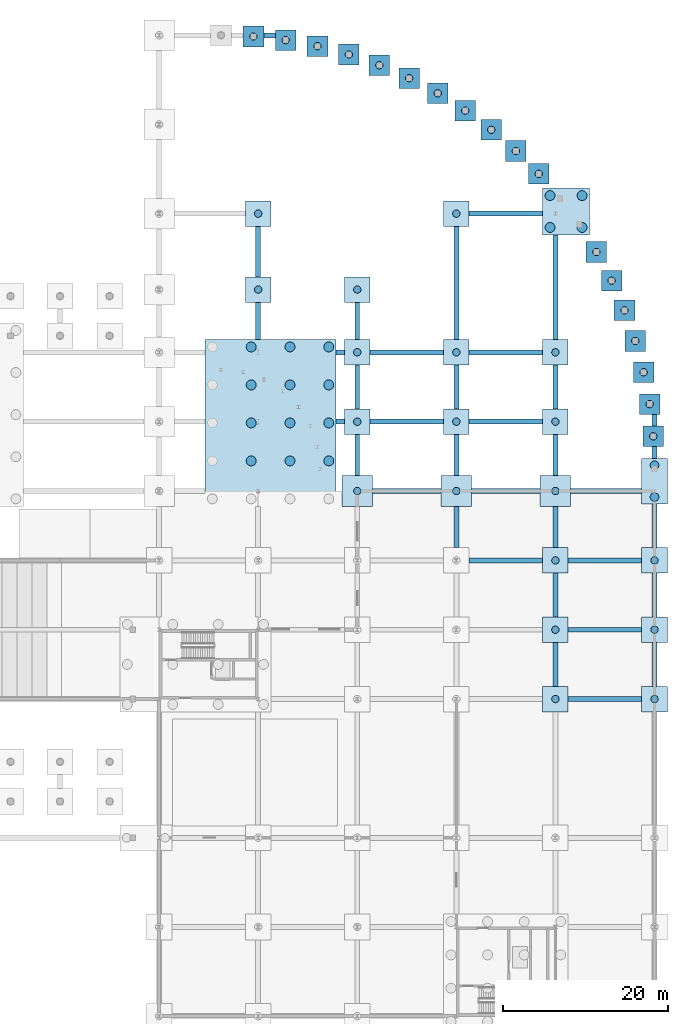
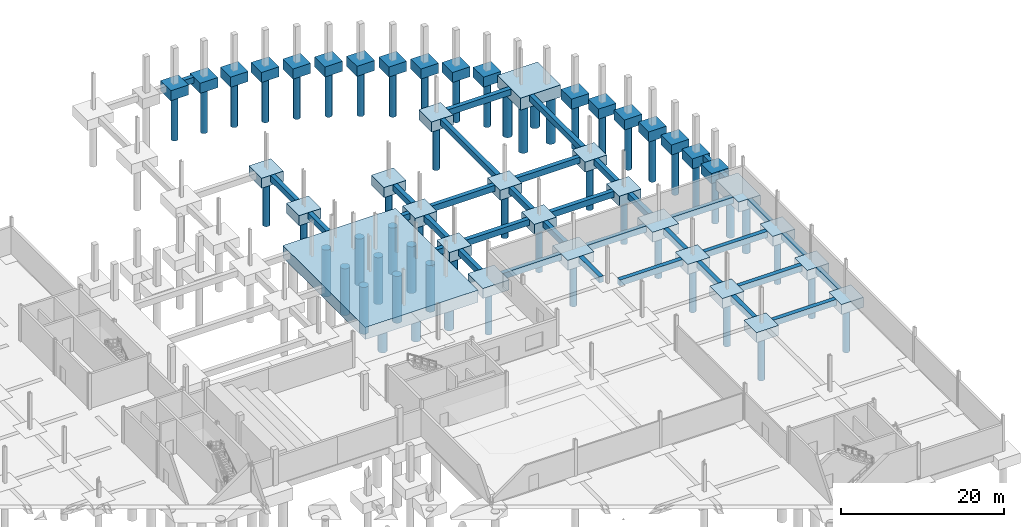
# One storey, part 6 of 36: 75 footings, 55 piles.
"""IFC4 building model written with IfcOpenShell, lengths in metres."""

from ifc_helpers import new_model, si_unit, direction, frame, origin, origin_2d, place, context, subcontext, project, spatial, rectangle, circle, extrude, material, material_profile, profile_set, type_object, element, save


model = new_model("IFC4")

# Units and contexts
model_context = context("Model", 3, precision=1e-05, world=origin(), true_north=direction((0.0, 1.0)))
body_context = subcontext(model_context, "Body", "Model", "MODEL_VIEW")
ifc_project = project(units=[si_unit("LENGTHUNIT", "METRE"), si_unit("AREAUNIT", "SQUARE_METRE"), si_unit("VOLUMEUNIT", "CUBIC_METRE"), si_unit("PLANEANGLEUNIT", "RADIAN"), si_unit("MASSUNIT", "GRAM", prefix="KILO"), si_unit("THERMODYNAMICTEMPERATUREUNIT", "KELVIN"), si_unit("POWERUNIT", "WATT")], contexts=[model_context])

# Site, building, storey
site_placement = place(None, origin())
site = spatial("IfcSite", under=ifc_project, at=site_placement, CompositionType="ELEMENT")
building_placement = place(site_placement, origin())
building = spatial("IfcBuilding", under=site, at=building_placement, Name="Tembeka Court Mobility Hub", CompositionType="ELEMENT")
storey_placement = place(building_placement, frame((0.0, 0.0, -5.39990234375)))
storey = spatial("IfcBuildingStorey", under=building, at=storey_placement, Name="B1", CompositionType="ELEMENT", Elevation=-5.39990234375)

# Footings
ifc_material = material(Name="Concrete C40/50", Category="concrete")
footing_type_1 = type_object("IfcFootingType", Name="FT-GB01", PredefinedType="FOOTING_BEAM", material=ifc_material)
for number, where, z_axis, x_axis, name in (
    (1, (170.39990234375, 38.39990234375, -0.900146484375), (0.0, 0.0, 1.0), (1.0, 0.0, 0.0), "Ground tie beam GB01 X-056"),
    (2, (170.39990234375, 46.800048828125, -0.900146484375), (0.0, 0.0, 1.0), (1.0, 0.0, 0.0), "Ground tie beam GB01 X-070"),
    (3, (158.39990234375, 55.199951171875, -0.900146484375), (0.0, 0.0, 1.0), (1.0, 0.0, 0.0), "Ground tie beam GB01 X-084"),
    (4, (170.39990234375, 55.199951171875, -0.900146484375), (0.0, 0.0, 1.0), (1.0, 0.0, 0.0), "Ground tie beam GB01 X-085"),
):
    element("IfcFooting", number, at=place(storey_placement, frame(where, z_axis=z_axis, x_axis=x_axis)), inside=storey, type_object=footing_type_1, Name=name, PredefinedType="FOOTING_BEAM", context=body_context, shape_type="SweptSolid", body=[
        extrude(rectangle(XDim=8.89990234375, YDim=0.60009765625, at=origin_2d()), origin(), (0.0, 0.0, 1.0), 0.89990234375),
    ])
for number, where, z_axis, x_axis, name in (
    (5, (146.39990234375, 63.60009765625, -0.900146484375), (0.0, 0.0, 1.0), (1.0, 0.0, 0.0), "Ground tie beam GB01 X-097"),
    (6, (158.39990234375, 63.60009765625, -0.900146484375), (0.0, 0.0, 1.0), (1.0, 0.0, 0.0), "Ground tie beam GB01 X-098"),
):
    element("IfcFooting", number, at=place(storey_placement, frame(where, z_axis=z_axis, x_axis=x_axis)), inside=storey, type_object=footing_type_1, Name=name, PredefinedType="FOOTING_BEAM", context=body_context, shape_type="SweptSolid", body=[
        extrude(rectangle(XDim=8.300048828125, YDim=0.60009765625, at=origin_2d()), origin(), (0.0, 0.0, 1.0), 0.89990234375),
    ])
footing_1_placement = place(storey_placement, frame((170.550048828125, 63.60009765625, -0.900146484375), z_axis=(0.0, 0.0, 1.0), x_axis=(1.0, 0.0, 0.0)))
element("IfcFooting", 7, at=footing_1_placement, inside=storey, type_object=footing_type_1, Name="Ground tie beam GB01 X-099", PredefinedType="FOOTING_BEAM", context=body_context, shape_type="SweptSolid", body=[
    extrude(rectangle(XDim=8.60009765625, YDim=0.60009765625, at=origin_2d()), origin(), (0.0, 0.0, 1.0), 0.89990234375),
])
footing_2_placement = place(storey_placement, frame((138.35009765625, 72.0, -0.900146484375), z_axis=(0.0, 0.0, 1.0), x_axis=(1.0, 0.0, 0.0)))
element("IfcFooting", 8, at=footing_2_placement, inside=storey, type_object=footing_type_1, Name="Ground tie beam GB01 X-111", PredefinedType="FOOTING_BEAM", context=body_context, shape_type="SweptSolid", body=[
    extrude(rectangle(XDim=1.0, YDim=0.60009765625, at=origin_2d()), origin(), (0.0, 0.0, 1.0), 0.89990234375),
])
for number, where, z_axis, x_axis, name in (
    (9, (146.39990234375, 72.0, -0.900146484375), (0.0, 0.0, 1.0), (1.0, 0.0, 0.0), "Ground tie beam GB01 X-112"),
    (10, (158.39990234375, 72.0, -0.900146484375), (0.0, 0.0, 1.0), (1.0, 0.0, 0.0), "Ground tie beam GB01 X-113"),
):
    element("IfcFooting", number, at=place(storey_placement, frame(where, z_axis=z_axis, x_axis=x_axis)), inside=storey, type_object=footing_type_1, Name=name, PredefinedType="FOOTING_BEAM", context=body_context, shape_type="SweptSolid", body=[
        extrude(rectangle(XDim=8.89990234375, YDim=0.60009765625, at=origin_2d()), origin(), (0.0, 0.0, 1.0), 0.89990234375),
    ])
footing_3_placement = place(storey_placement, frame((138.35009765625, 80.39990234375, -0.900146484375), z_axis=(0.0, 0.0, 1.0), x_axis=(1.0, 0.0, 0.0)))
element("IfcFooting", 11, at=footing_3_placement, inside=storey, type_object=footing_type_1, Name="Ground tie beam GB01 X-125", PredefinedType="FOOTING_BEAM", context=body_context, shape_type="SweptSolid", body=[
    extrude(rectangle(XDim=1.0, YDim=0.60009765625, at=origin_2d()), origin(), (0.0, 0.0, 1.0), 0.89990234375),
])
for number, where, z_axis, x_axis, name in (
    (12, (146.39990234375, 80.39990234375, -0.900146484375), (0.0, 0.0, 1.0), (1.0, 0.0, 0.0), "Ground tie beam GB01 X-126"),
    (13, (158.39990234375, 80.39990234375, -0.900146484375), (0.0, 0.0, 1.0), (1.0, 0.0, 0.0), "Ground tie beam GB01 X-127"),
    (14, (158.39990234375, 97.199951171875, -0.900146484375), (0.0, 0.0, 1.0), (1.0, 0.0, 0.0), "Ground tie beam GB01 X-140"),
):
    element("IfcFooting", number, at=place(storey_placement, frame(where, z_axis=z_axis, x_axis=x_axis)), inside=storey, type_object=footing_type_1, Name=name, PredefinedType="FOOTING_BEAM", context=body_context, shape_type="SweptSolid", body=[
        extrude(rectangle(XDim=8.89990234375, YDim=0.60009765625, at=origin_2d()), origin(), (0.0, 0.0, 1.0), 0.89990234375),
    ])
footing_4_placement = place(storey_placement, frame((129.77392578125, 118.800048828125, -0.900146484375), z_axis=(0.0, 0.0, 1.0), x_axis=(1.0, 0.0, 0.0)))
element("IfcFooting", 15, at=footing_4_placement, inside=storey, type_object=footing_type_1, Name="Ground tie beam GB01 X-160", PredefinedType="FOOTING_BEAM", context=body_context, shape_type="SweptSolid", body=[
    extrude(rectangle(XDim=1.402099609375, YDim=0.60009765625, at=origin_2d()), origin(), (0.0, 0.0, 1.0), 0.89990234375),
])
footing_5_placement = place(storey_placement, frame((128.39990234375, 84.199951171875, -0.900146484375), z_axis=(0.0, 0.0, 1.0), x_axis=(0.0, 1.0, 0.0)))
element("IfcFooting", 16, at=footing_5_placement, inside=storey, type_object=footing_type_1, Name="Ground tie beam GB01 Y-279", PredefinedType="FOOTING_BEAM", context=body_context, shape_type="SweptSolid", body=[
    extrude(rectangle(XDim=4.5, YDim=0.60009765625, at=origin_2d()), origin(), (0.0, 0.0, 1.0), 0.89990234375),
])
footing_6_placement = place(storey_placement, frame((128.39990234375, 92.60009765625, -0.900146484375), z_axis=(0.0, 0.0, 1.0), x_axis=(0.0, 1.0, 0.0)))
element("IfcFooting", 17, at=footing_6_placement, inside=storey, type_object=footing_type_1, Name="Ground tie beam GB01 Y-280", PredefinedType="FOOTING_BEAM", context=body_context, shape_type="SweptSolid", body=[
    extrude(rectangle(XDim=6.10009765625, YDim=0.60009765625, at=origin_2d()), origin(), (0.0, 0.0, 1.0), 0.89990234375),
])
footing_7_placement = place(storey_placement, frame((140.39990234375, 67.949951171875, -0.900146484375), z_axis=(0.0, 0.0, 1.0), x_axis=(0.0, 1.0, 0.0)))
element("IfcFooting", 18, at=footing_7_placement, inside=storey, type_object=footing_type_1, Name="Ground tie beam GB01 Y-287", PredefinedType="FOOTING_BEAM", context=body_context, shape_type="SweptSolid", body=[
    extrude(rectangle(XDim=5.0, YDim=0.60009765625, at=origin_2d()), origin(), (0.0, 0.0, 1.0), 0.89990234375),
])
footing_8_placement = place(storey_placement, frame((140.39990234375, 76.199951171875, -0.900146484375), z_axis=(0.0, 0.0, 1.0), x_axis=(0.0, 1.0, 0.0)))
element("IfcFooting", 19, at=footing_8_placement, inside=storey, type_object=footing_type_1, Name="Ground tie beam GB01 Y-288", PredefinedType="FOOTING_BEAM", context=body_context, shape_type="SweptSolid", body=[
    extrude(rectangle(XDim=5.300048828125, YDim=0.60009765625, at=origin_2d()), origin(), (0.0, 0.0, 1.0), 0.89990234375),
])
footing_9_placement = place(storey_placement, frame((140.39990234375, 84.199951171875, -0.900146484375), z_axis=(0.0, 0.0, 1.0), x_axis=(0.0, 1.0, 0.0)))
element("IfcFooting", 20, at=footing_9_placement, inside=storey, type_object=footing_type_1, Name="Ground tie beam GB01 Y-289", PredefinedType="FOOTING_BEAM", context=body_context, shape_type="SweptSolid", body=[
    extrude(rectangle(XDim=4.5, YDim=0.60009765625, at=origin_2d()), origin(), (0.0, 0.0, 1.0), 0.89990234375),
])
for number, where, z_axis, x_axis, name in (
    (21, (152.39990234375, 59.25, -0.900146484375), (0.0, 0.0, 1.0), (0.0, 1.0, 0.0), "Ground tie beam GB01 Y-294"),
    (22, (152.39990234375, 67.949951171875, -0.900146484375), (0.0, 0.0, 1.0), (0.0, 1.0, 0.0), "Ground tie beam GB01 Y-295"),
):
    element("IfcFooting", number, at=place(storey_placement, frame(where, z_axis=z_axis, x_axis=x_axis)), inside=storey, type_object=footing_type_1, Name=name, PredefinedType="FOOTING_BEAM", context=body_context, shape_type="SweptSolid", body=[
        extrude(rectangle(XDim=5.0, YDim=0.60009765625, at=origin_2d()), origin(), (0.0, 0.0, 1.0), 0.89990234375),
    ])
footing_10_placement = place(storey_placement, frame((152.39990234375, 76.199951171875, -0.900146484375), z_axis=(0.0, 0.0, 1.0), x_axis=(0.0, 1.0, 0.0)))
element("IfcFooting", 23, at=footing_10_placement, inside=storey, type_object=footing_type_1, Name="Ground tie beam GB01 Y-296", PredefinedType="FOOTING_BEAM", context=body_context, shape_type="SweptSolid", body=[
    extrude(rectangle(XDim=5.300048828125, YDim=0.60009765625, at=origin_2d()), origin(), (0.0, 0.0, 1.0), 0.89990234375),
])
footing_11_placement = place(storey_placement, frame((152.39990234375, 88.800048828125, -0.900146484375), z_axis=(0.0, 0.0, 1.0), x_axis=(0.0, 1.0, 0.0)))
element("IfcFooting", 24, at=footing_11_placement, inside=storey, type_object=footing_type_1, Name="Ground tie beam GB01 Y-297", PredefinedType="FOOTING_BEAM", context=body_context, shape_type="SweptSolid", body=[
    extrude(rectangle(XDim=13.699951171875, YDim=0.60009765625, at=origin_2d()), origin(), (0.0, 0.0, 1.0), 0.89990234375),
])
for number, where, z_axis, x_axis, name in (
    (25, (164.39990234375, 42.60009765625, -0.900146484375), (0.0, 0.0, 1.0), (0.0, 1.0, 0.0), "Ground tie beam GB01 Y-300"),
    (26, (164.39990234375, 51.0, -0.900146484375), (0.0, 0.0, 1.0), (0.0, 1.0, 0.0), "Ground tie beam GB01 Y-301"),
):
    element("IfcFooting", number, at=place(storey_placement, frame(where, z_axis=z_axis, x_axis=x_axis)), inside=storey, type_object=footing_type_1, Name=name, PredefinedType="FOOTING_BEAM", context=body_context, shape_type="SweptSolid", body=[
        extrude(rectangle(XDim=5.300048828125, YDim=0.60009765625, at=origin_2d()), origin(), (0.0, 0.0, 1.0), 0.89990234375),
    ])
for number, where, z_axis, x_axis, name in (
    (27, (164.39990234375, 59.25, -0.900146484375), (0.0, 0.0, 1.0), (0.0, 1.0, 0.0), "Ground tie beam GB01 Y-302"),
    (28, (164.39990234375, 67.949951171875, -0.900146484375), (0.0, 0.0, 1.0), (0.0, 1.0, 0.0), "Ground tie beam GB01 Y-303"),
):
    element("IfcFooting", number, at=place(storey_placement, frame(where, z_axis=z_axis, x_axis=x_axis)), inside=storey, type_object=footing_type_1, Name=name, PredefinedType="FOOTING_BEAM", context=body_context, shape_type="SweptSolid", body=[
        extrude(rectangle(XDim=5.0, YDim=0.60009765625, at=origin_2d()), origin(), (0.0, 0.0, 1.0), 0.89990234375),
    ])
footing_12_placement = place(storey_placement, frame((164.39990234375, 76.199951171875, -0.900146484375), z_axis=(0.0, 0.0, 1.0), x_axis=(0.0, 1.0, 0.0)))
element("IfcFooting", 29, at=footing_12_placement, inside=storey, type_object=footing_type_1, Name="Ground tie beam GB01 Y-304", PredefinedType="FOOTING_BEAM", context=body_context, shape_type="SweptSolid", body=[
    extrude(rectangle(XDim=5.300048828125, YDim=0.60009765625, at=origin_2d()), origin(), (0.0, 0.0, 1.0), 0.89990234375),
])
footing_13_placement = place(storey_placement, frame((164.39990234375, 88.287109375, -0.900146484375), z_axis=(0.0, 0.0, 1.0), x_axis=(0.0, 1.0, 0.0)))
element("IfcFooting", 30, at=footing_13_placement, inside=storey, type_object=footing_type_1, Name="Ground tie beam GB01 Y-305", PredefinedType="FOOTING_BEAM", context=body_context, shape_type="SweptSolid", body=[
    extrude(rectangle(XDim=12.674072265625, YDim=0.60009765625, at=origin_2d()), origin(), (0.0, 0.0, 1.0), 0.89990234375),
])
for number, where, z_axis, x_axis, name in (
    (31, (176.39990234375, 42.60009765625, -0.900146484375), (0.0, 0.0, 1.0), (0.0, 1.0, 0.0), "Ground tie beam GB01 Y-309"),
    (32, (176.39990234375, 51.0, -0.900146484375), (0.0, 0.0, 1.0), (0.0, 1.0, 0.0), "Ground tie beam GB01 Y-310"),
    (33, (176.39990234375, 59.39990234375, -0.900146484375), (0.0, 0.0, 1.0), (0.0, 1.0, 0.0), "Ground tie beam GB01 Y-311"),
):
    element("IfcFooting", number, at=place(storey_placement, frame(where, z_axis=z_axis, x_axis=x_axis)), inside=storey, type_object=footing_type_1, Name=name, PredefinedType="FOOTING_BEAM", context=body_context, shape_type="SweptSolid", body=[
        extrude(rectangle(XDim=5.300048828125, YDim=0.60009765625, at=origin_2d()), origin(), (0.0, 0.0, 1.0), 0.89990234375),
    ])
footing_14_placement = place(storey_placement, frame((176.39990234375, 68.261474609375, -0.900146484375), z_axis=(0.0, 0.0, 1.0), x_axis=(0.0, 1.0, 0.0)))
element("IfcFooting", 34, at=footing_14_placement, inside=storey, type_object=footing_type_1, Name="Ground tie beam GB01 Y-312", PredefinedType="FOOTING_BEAM", context=body_context, shape_type="SweptSolid", body=[
    extrude(rectangle(XDim=1.423095703125, YDim=0.60009765625, at=origin_2d()), origin(), (0.0, 0.0, 1.0), 0.89990234375),
])
footing_15_placement = place(storey_placement, frame((176.39990234375, 72.174072265625, -0.900146484375), z_axis=(0.0, 0.0, 1.0), x_axis=(0.0, 1.0, 0.0)))
element("IfcFooting", 35, at=footing_15_placement, inside=storey, type_object=footing_type_1, Name="Ground tie beam GB01 Y-313", PredefinedType="FOOTING_BEAM", context=body_context, shape_type="SweptSolid", body=[
    extrude(rectangle(XDim=1.402099609375, YDim=0.60009765625, at=origin_2d()), origin(), (0.0, 0.0, 1.0), 0.89990234375),
])
footing_type_2 = type_object("IfcFootingType", Name="FT-PC01", PredefinedType="PILE_CAP", material=ifc_material)
for number, where, z_axis, x_axis, name in (
    (36, (140.39990234375, 63.60009765625, -1.5), (0.0, 0.0, 1.0), (1.0, 0.0, 0.0), "Pile cap PC01 (152)"),
    (37, (152.39990234375, 63.60009765625, -1.5), (0.0, 0.0, 1.0), (1.0, 0.0, 0.0), "Pile cap PC01 (165)"),
    (38, (164.39990234375, 63.60009765625, -1.5), (0.0, 0.0, 1.0), (1.0, 0.0, 0.0), "Pile cap PC01 (178)"),
):
    element("IfcFooting", number, at=place(storey_placement, frame(where, z_axis=z_axis, x_axis=x_axis)), inside=storey, type_object=footing_type_2, Name=name, PredefinedType="PILE_CAP", context=body_context, shape_type="SweptSolid", body=[
        extrude(rectangle(XDim=3.699951171875, YDim=3.699951171875, at=origin_2d()), origin(), (0.0, 0.0, 1.0), 1.5),
    ])
footing_type_3 = type_object("IfcFootingType", Name="FT-PC03", PredefinedType="PILE_CAP", material=ifc_material)
for number, where, z_axis, x_axis, name in (
    (39, (128.39990234375, 88.0, -1.5), (0.0, 0.0, 1.0), (1.0, 0.0, 0.0), "Pile cap PC03 (147)"),
    (40, (128.39990234375, 97.199951171875, -1.5), (0.0, 0.0, 1.0), (1.0, 0.0, 0.0), "Pile cap PC03 (148)"),
    (41, (140.39990234375, 72.0, -1.5), (0.0, 0.0, 1.0), (1.0, 0.0, 0.0), "Pile cap PC03 (159)"),
    (42, (140.39990234375, 80.39990234375, -1.5), (0.0, 0.0, 1.0), (1.0, 0.0, 0.0), "Pile cap PC03 (160)"),
    (43, (140.39990234375, 88.0, -1.5), (0.0, 0.0, 1.0), (1.0, 0.0, 0.0), "Pile cap PC03 (161)"),
    (44, (152.39990234375, 72.0, -1.5), (0.0, 0.0, 1.0), (1.0, 0.0, 0.0), "Pile cap PC03 (171)"),
    (45, (152.39990234375, 80.39990234375, -1.5), (0.0, 0.0, 1.0), (1.0, 0.0, 0.0), "Pile cap PC03 (172)"),
    (46, (152.39990234375, 97.199951171875, -1.5), (0.0, 0.0, 1.0), (1.0, 0.0, 0.0), "Pile cap PC03 (173)"),
    (47, (164.39990234375, 38.39990234375, -1.5), (0.0, 0.0, 1.0), (1.0, 0.0, 0.0), "Pile cap PC03 (180)"),
    (48, (164.39990234375, 46.800048828125, -1.5), (0.0, 0.0, 1.0), (1.0, 0.0, 0.0), "Pile cap PC03 (181)"),
    (49, (164.39990234375, 55.199951171875, -1.5), (0.0, 0.0, 1.0), (1.0, 0.0, 0.0), "Pile cap PC03 (182)"),
    (50, (164.39990234375, 72.0, -1.5), (0.0, 0.0, 1.0), (1.0, 0.0, 0.0), "Pile cap PC03 (183)"),
    (51, (164.39990234375, 80.39990234375, -1.5), (0.0, 0.0, 1.0), (1.0, 0.0, 0.0), "Pile cap PC03 (184)"),
    (52, (176.39990234375, 38.39990234375, -1.5), (0.0, 0.0, 1.0), (1.0, 0.0, 0.0), "Pile cap PC03 (195)"),
    (53, (176.39990234375, 46.800048828125, -1.5), (0.0, 0.0, 1.0), (1.0, 0.0, 0.0), "Pile cap PC03 (196)"),
    (54, (176.39990234375, 55.199951171875, -1.5), (0.0, 0.0, 1.0), (1.0, 0.0, 0.0), "Pile cap PC03 (197)"),
):
    element("IfcFooting", number, at=place(storey_placement, frame(where, z_axis=z_axis, x_axis=x_axis)), inside=storey, type_object=footing_type_3, Name=name, PredefinedType="PILE_CAP", context=body_context, shape_type="SweptSolid", body=[
        extrude(rectangle(XDim=3.10009765625, YDim=3.10009765625, at=origin_2d()), origin(), (0.0, 0.0, 1.0), 1.5),
    ])
footing_type_4 = type_object("IfcFootingType", Name="FT-PC08", PredefinedType="PILE_CAP", material=ifc_material)
footing_16_placement = place(storey_placement, frame((129.89990234375, 71.85009765625, -1.80029296875), z_axis=(0.0, 0.0, 1.0), x_axis=(0.0, 1.0, 0.0)))
element("IfcFooting", 55, at=footing_16_placement, inside=storey, type_object=footing_type_4, Name="Pile cap PC08 (140)", PredefinedType="PILE_CAP", context=body_context, shape_type="SweptSolid", body=[
    extrude(rectangle(XDim=20.199951171875, YDim=15.89990234375, at=origin_2d()), origin(), (0.0, 0.0, 1.0), 1.800048828125),
])
footing_type_5 = type_object("IfcFootingType", Name="FT-PC09", PredefinedType="PILE_CAP", material=ifc_material)
for number, where, z_axis, x_axis, name in (
    (56, (127.822998046875, 118.653076171875, -1.5), (0.0, 0.0, 1.0), (1.0, 0.0, 0.0), "Pile cap PC09 (142)"),
    (57, (131.72509765625, 118.214111328125, -1.5), (0.0, 0.0, 1.0), (1.0, 0.0, 0.0), "Pile cap PC09 (149)"),
    (58, (135.58203125, 117.48388671875, -1.5), (0.0, 0.0, 1.0), (1.0, 0.0, 0.0), "Pile cap PC09 (150)"),
    (59, (139.375, 116.468017578125, -1.5), (0.0, 0.0, 1.0), (1.0, 0.0, 0.0), "Pile cap PC09 (151)"),
    (60, (143.080078125, 115.1708984375, -1.5), (0.0, 0.0, 1.0), (1.0, 0.0, 0.0), "Pile cap PC09 (162)"),
    (61, (146.678955078125, 113.60107421875, -1.5), (0.0, 0.0, 1.0), (1.0, 0.0, 0.0), "Pile cap PC09 (163)"),
    (62, (150.14990234375, 111.76611328125, -1.5), (0.0, 0.0, 1.0), (1.0, 0.0, 0.0), "Pile cap PC09 (164)"),
    (63, (153.47412109375, 109.677001953125, -1.5), (0.0, 0.0, 1.0), (1.0, 0.0, 0.0), "Pile cap PC09 (174)"),
    (64, (156.633056640625, 107.345947265625, -1.5), (0.0, 0.0, 1.0), (1.0, 0.0, 0.0), "Pile cap PC09 (175)"),
    (65, (159.60888671875, 104.784912109375, -1.5), (0.0, 0.0, 1.0), (1.0, 0.0, 0.0), "Pile cap PC09 (176)"),
    (66, (162.385009765625, 102.009033203125, -1.5), (0.0, 0.0, 1.0), (1.0, 0.0, 0.0), "Pile cap PC09 (177)"),
    (67, (169.365966796875, 92.550048828125, -1.5), (0.0, 0.0, 1.0), (1.0, 0.0, 0.0), "Pile cap PC09 (186)"),
    (68, (171.200927734375, 89.0791015625, -1.5), (0.0, 0.0, 1.0), (1.0, 0.0, 0.0), "Pile cap PC09 (187)"),
    (69, (172.77099609375, 85.47998046875, -1.5), (0.0, 0.0, 1.0), (1.0, 0.0, 0.0), "Pile cap PC09 (188)"),
    (70, (174.068115234375, 81.77490234375, -1.5), (0.0, 0.0, 1.0), (1.0, 0.0, 0.0), "Pile cap PC09 (189)"),
    (71, (175.083984375, 77.98193359375, -1.5), (0.0, 0.0, 1.0), (1.0, 0.0, 0.0), "Pile cap PC09 (190)"),
    (72, (175.81396484375, 74.125, -1.5), (0.0, 0.0, 1.0), (1.0, 0.0, 0.0), "Pile cap PC09 (191)"),
    (73, (176.2529296875, 70.222900390625, -1.5), (0.0, 0.0, 1.0), (1.0, 0.0, 0.0), "Pile cap PC09 (199)"),
):
    element("IfcFooting", number, at=place(storey_placement, frame(where, z_axis=z_axis, x_axis=x_axis)), inside=storey, type_object=footing_type_5, Name=name, PredefinedType="PILE_CAP", context=body_context, shape_type="SweptSolid", body=[
        extrude(rectangle(XDim=2.5, YDim=2.5, at=origin_2d()), origin(), (0.0, 0.0, 1.0), 1.5),
    ])
footing_type_6 = type_object("IfcFootingType", Name="FT-PC11", PredefinedType="PILE_CAP", material=ifc_material)
footing_17_placement = place(storey_placement, frame((165.68896484375, 97.45361328125, -1.80029296875), z_axis=(0.0, 0.0, 1.0), x_axis=(1.0, 0.0, 0.0)))
element("IfcFooting", 74, at=footing_17_placement, inside=storey, type_object=footing_type_6, Name="Pile cap PC11 (185)", PredefinedType="PILE_CAP", context=body_context, shape_type="SweptSolid", body=[
    extrude(rectangle(XDim=5.677978515625, YDim=5.658935546875, at=origin_2d()), origin(), (0.0, 0.0, 1.0), 1.800048828125),
])
footing_type_7 = type_object("IfcFootingType", Name="FT-PC12", PredefinedType="PILE_CAP", material=ifc_material)
footing_18_placement = place(storey_placement, frame((176.39990234375, 64.800048828125, -1.5), z_axis=(0.0, 0.0, 1.0), x_axis=(0.0, 1.0, 0.0)))
element("IfcFooting", 75, at=footing_18_placement, inside=storey, type_object=footing_type_7, Name="Pile cap PC12 (198)", PredefinedType="PILE_CAP", context=body_context, shape_type="SweptSolid", body=[
    extrude(rectangle(XDim=5.5, YDim=3.10009765625, at=origin_2d()), origin(), (0.0, 0.0, 1.0), 1.5),
])

# Piles
ifc_material_profile_1 = material_profile(ifc_material, circle(Radius=0.449951171875, at=origin_2d()), Name="PILE D900")
ifc_profile_set_1 = profile_set([ifc_material_profile_1], Name="Concrete C40/50")
pile_type_1 = type_object("IfcPileType", Name="PILE-P02", PredefinedType="BORED", material=ifc_profile_set_1)
for number, where, z_axis, x_axis, name in (
    (76, (127.822998046875, 118.653076171875, -1.400146484375), (0.0, 0.0, -1.0), (1.0, 0.0, 0.0), "Bored pile P02 under CAP-142"),
    (77, (128.39990234375, 88.0, -1.400146484375), (0.0, 0.0, -1.0), (1.0, 0.0, 0.0), "Bored pile P02 under CAP-147"),
    (78, (128.39990234375, 97.199951171875, -1.400146484375), (0.0, 0.0, -1.0), (1.0, 0.0, 0.0), "Bored pile P02 under CAP-148"),
    (79, (131.72509765625, 118.214111328125, -1.400146484375), (0.0, 0.0, -1.0), (1.0, 0.0, 0.0), "Bored pile P02 under CAP-149"),
    (80, (135.58203125, 117.48388671875, -1.400146484375), (0.0, 0.0, -1.0), (1.0, 0.0, 0.0), "Bored pile P02 under CAP-150"),
    (81, (139.375, 116.468017578125, -1.400146484375), (0.0, 0.0, -1.0), (1.0, 0.0, 0.0), "Bored pile P02 under CAP-151"),
    (82, (140.39990234375, 63.60009765625, -1.400146484375), (0.0, 0.0, -1.0), (1.0, 0.0, 0.0), "Bored pile P02 under CAP-152"),
    (83, (140.39990234375, 72.0, -1.400146484375), (0.0, 0.0, -1.0), (1.0, 0.0, 0.0), "Bored pile P02 under CAP-159"),
    (84, (140.39990234375, 80.39990234375, -1.400146484375), (0.0, 0.0, -1.0), (1.0, 0.0, 0.0), "Bored pile P02 under CAP-160"),
    (85, (140.39990234375, 88.0, -1.400146484375), (0.0, 0.0, -1.0), (1.0, 0.0, 0.0), "Bored pile P02 under CAP-161"),
    (86, (143.080078125, 115.1708984375, -1.400146484375), (0.0, 0.0, -1.0), (1.0, 0.0, 0.0), "Bored pile P02 under CAP-162"),
    (87, (146.678955078125, 113.60107421875, -1.400146484375), (0.0, 0.0, -1.0), (1.0, 0.0, 0.0), "Bored pile P02 under CAP-163"),
    (88, (150.14990234375, 111.76611328125, -1.400146484375), (0.0, 0.0, -1.0), (1.0, 0.0, 0.0), "Bored pile P02 under CAP-164"),
    (89, (152.39990234375, 63.60009765625, -1.400146484375), (0.0, 0.0, -1.0), (1.0, 0.0, 0.0), "Bored pile P02 under CAP-165"),
    (90, (152.39990234375, 72.0, -1.400146484375), (0.0, 0.0, -1.0), (1.0, 0.0, 0.0), "Bored pile P02 under CAP-171"),
    (91, (152.39990234375, 80.39990234375, -1.400146484375), (0.0, 0.0, -1.0), (1.0, 0.0, 0.0), "Bored pile P02 under CAP-172"),
    (92, (152.39990234375, 97.199951171875, -1.400146484375), (0.0, 0.0, -1.0), (1.0, 0.0, 0.0), "Bored pile P02 under CAP-173"),
    (93, (153.47412109375, 109.677001953125, -1.400146484375), (0.0, 0.0, -1.0), (1.0, 0.0, 0.0), "Bored pile P02 under CAP-174"),
    (94, (156.633056640625, 107.345947265625, -1.400146484375), (0.0, 0.0, -1.0), (1.0, 0.0, 0.0), "Bored pile P02 under CAP-175"),
    (95, (159.60888671875, 104.784912109375, -1.400146484375), (0.0, 0.0, -1.0), (1.0, 0.0, 0.0), "Bored pile P02 under CAP-176"),
    (96, (162.385009765625, 102.009033203125, -1.400146484375), (0.0, 0.0, -1.0), (1.0, 0.0, 0.0), "Bored pile P02 under CAP-177"),
    (97, (164.39990234375, 63.60009765625, -1.400146484375), (0.0, 0.0, -1.0), (1.0, 0.0, 0.0), "Bored pile P02 under CAP-178"),
    (98, (164.39990234375, 38.39990234375, -1.400146484375), (0.0, 0.0, -1.0), (1.0, 0.0, 0.0), "Bored pile P02 under CAP-180"),
    (99, (164.39990234375, 46.800048828125, -1.400146484375), (0.0, 0.0, -1.0), (1.0, 0.0, 0.0), "Bored pile P02 under CAP-181"),
    (100, (164.39990234375, 55.199951171875, -1.400146484375), (0.0, 0.0, -1.0), (1.0, 0.0, 0.0), "Bored pile P02 under CAP-182"),
    (101, (164.39990234375, 72.0, -1.400146484375), (0.0, 0.0, -1.0), (1.0, 0.0, 0.0), "Bored pile P02 under CAP-183"),
    (102, (164.39990234375, 80.39990234375, -1.400146484375), (0.0, 0.0, -1.0), (1.0, 0.0, 0.0), "Bored pile P02 under CAP-184"),
    (103, (169.365966796875, 92.550048828125, -1.400146484375), (0.0, 0.0, -1.0), (1.0, 0.0, 0.0), "Bored pile P02 under CAP-186"),
    (104, (171.200927734375, 89.0791015625, -1.400146484375), (0.0, 0.0, -1.0), (1.0, 0.0, 0.0), "Bored pile P02 under CAP-187"),
    (105, (172.77099609375, 85.47998046875, -1.400146484375), (0.0, 0.0, -1.0), (1.0, 0.0, 0.0), "Bored pile P02 under CAP-188"),
    (106, (174.068115234375, 81.77490234375, -1.400146484375), (0.0, 0.0, -1.0), (1.0, 0.0, 0.0), "Bored pile P02 under CAP-189"),
    (107, (175.083984375, 77.98193359375, -1.400146484375), (0.0, 0.0, -1.0), (1.0, 0.0, 0.0), "Bored pile P02 under CAP-190"),
    (108, (175.81396484375, 74.125, -1.400146484375), (0.0, 0.0, -1.0), (1.0, 0.0, 0.0), "Bored pile P02 under CAP-191"),
    (109, (176.39990234375, 38.39990234375, -1.400146484375), (0.0, 0.0, -1.0), (1.0, 0.0, 0.0), "Bored pile P02 under CAP-195"),
    (110, (176.39990234375, 46.800048828125, -1.400146484375), (0.0, 0.0, -1.0), (1.0, 0.0, 0.0), "Bored pile P02 under CAP-196"),
    (111, (176.39990234375, 55.199951171875, -1.400146484375), (0.0, 0.0, -1.0), (1.0, 0.0, 0.0), "Bored pile P02 under CAP-197"),
    (112, (176.2529296875, 70.222900390625, -1.400146484375), (0.0, 0.0, -1.0), (1.0, 0.0, 0.0), "Bored pile P02 under CAP-199"),
):
    element("IfcPile", number, at=place(storey_placement, frame(where, z_axis=z_axis, x_axis=x_axis)), inside=storey, type_object=pile_type_1, Name=name, PredefinedType="BORED", context=body_context, shape_type="SweptSolid", body=[
        extrude(circle(Radius=0.449951171875, at=origin_2d()), origin(), (0.0, 0.0, 1.0), 7.0),
    ])
ifc_material_profile_2 = material_profile(ifc_material, circle(Radius=0.52490234375, at=origin_2d()), Name="PILE D1050")
ifc_profile_set_2 = profile_set([ifc_material_profile_2], Name="Concrete C40/50")
pile_type_2 = type_object("IfcPileType", Name="PILE-P03", PredefinedType="BORED", material=ifc_profile_set_2)
for number, where, z_axis, x_axis, name in (
    (113, (176.39990234375, 62.875, -1.400146484375), (0.0, 0.0, -1.0), (1.0, 0.0, 0.0), "Bored pile P03 under CAP-198"),
    (114, (176.39990234375, 66.72509765625, -1.400146484375), (0.0, 0.0, -1.0), (1.0, 0.0, 0.0), "Bored pile P03 under CAP-198"),
):
    element("IfcPile", number, at=place(storey_placement, frame(where, z_axis=z_axis, x_axis=x_axis)), inside=storey, type_object=pile_type_2, Name=name, PredefinedType="BORED", context=body_context, shape_type="SweptSolid", body=[
        extrude(circle(Radius=0.52490234375, at=origin_2d()), origin(), (0.0, 0.0, 1.0), 7.0),
    ])
ifc_material_profile_3 = material_profile(ifc_material, circle(Radius=0.60009765625, at=origin_2d()), Name="PILE D1200")
ifc_profile_set_3 = profile_set([ifc_material_profile_3], Name="Concrete C40/50")
pile_type_3 = type_object("IfcPileType", Name="PILE-P04", PredefinedType="BORED", material=ifc_profile_set_3)
for number, where, z_axis, x_axis, name in (
    (115, (127.550048828125, 67.25, -1.7001953125), (0.0, 0.0, -1.0), (1.0, 0.0, 0.0), "Bored pile P04 under CAP-140"),
    (116, (127.550048828125, 71.85009765625, -1.7001953125), (0.0, 0.0, -1.0), (1.0, 0.0, 0.0), "Bored pile P04 under CAP-140"),
    (117, (127.550048828125, 76.449951171875, -1.7001953125), (0.0, 0.0, -1.0), (1.0, 0.0, 0.0), "Bored pile P04 under CAP-140"),
    (118, (127.550048828125, 81.050048828125, -1.7001953125), (0.0, 0.0, -1.0), (1.0, 0.0, 0.0), "Bored pile P04 under CAP-140"),
    (119, (132.25, 67.25, -1.7001953125), (0.0, 0.0, -1.0), (1.0, 0.0, 0.0), "Bored pile P04 under CAP-140"),
    (120, (132.25, 71.85009765625, -1.7001953125), (0.0, 0.0, -1.0), (1.0, 0.0, 0.0), "Bored pile P04 under CAP-140"),
    (121, (132.25, 76.449951171875, -1.7001953125), (0.0, 0.0, -1.0), (1.0, 0.0, 0.0), "Bored pile P04 under CAP-140"),
    (122, (132.25, 81.050048828125, -1.7001953125), (0.0, 0.0, -1.0), (1.0, 0.0, 0.0), "Bored pile P04 under CAP-140"),
    (123, (136.949951171875, 67.25, -1.7001953125), (0.0, 0.0, -1.0), (1.0, 0.0, 0.0), "Bored pile P04 under CAP-140"),
    (124, (136.949951171875, 71.85009765625, -1.7001953125), (0.0, 0.0, -1.0), (1.0, 0.0, 0.0), "Bored pile P04 under CAP-140"),
    (125, (136.949951171875, 76.449951171875, -1.7001953125), (0.0, 0.0, -1.0), (1.0, 0.0, 0.0), "Bored pile P04 under CAP-140"),
    (126, (136.949951171875, 81.050048828125, -1.7001953125), (0.0, 0.0, -1.0), (1.0, 0.0, 0.0), "Bored pile P04 under CAP-140"),
    (127, (163.75, 95.52392578125, -1.7001953125), (0.0, 0.0, -1.0), (1.0, 0.0, 0.0), "Bored pile P04 under CAP-185"),
    (128, (163.75, 99.383056640625, -1.7001953125), (0.0, 0.0, -1.0), (1.0, 0.0, 0.0), "Bored pile P04 under CAP-185"),
    (129, (167.6279296875, 95.52392578125, -1.7001953125), (0.0, 0.0, -1.0), (1.0, 0.0, 0.0), "Bored pile P04 under CAP-185"),
    (130, (167.6279296875, 99.383056640625, -1.7001953125), (0.0, 0.0, -1.0), (1.0, 0.0, 0.0), "Bored pile P04 under CAP-185"),
):
    element("IfcPile", number, at=place(storey_placement, frame(where, z_axis=z_axis, x_axis=x_axis)), inside=storey, type_object=pile_type_3, Name=name, PredefinedType="BORED", context=body_context, shape_type="SweptSolid", body=[
        extrude(circle(Radius=0.60009765625, at=origin_2d()), origin(), (0.0, 0.0, 1.0), 7.0),
    ])

save(model, "model.ifc")
